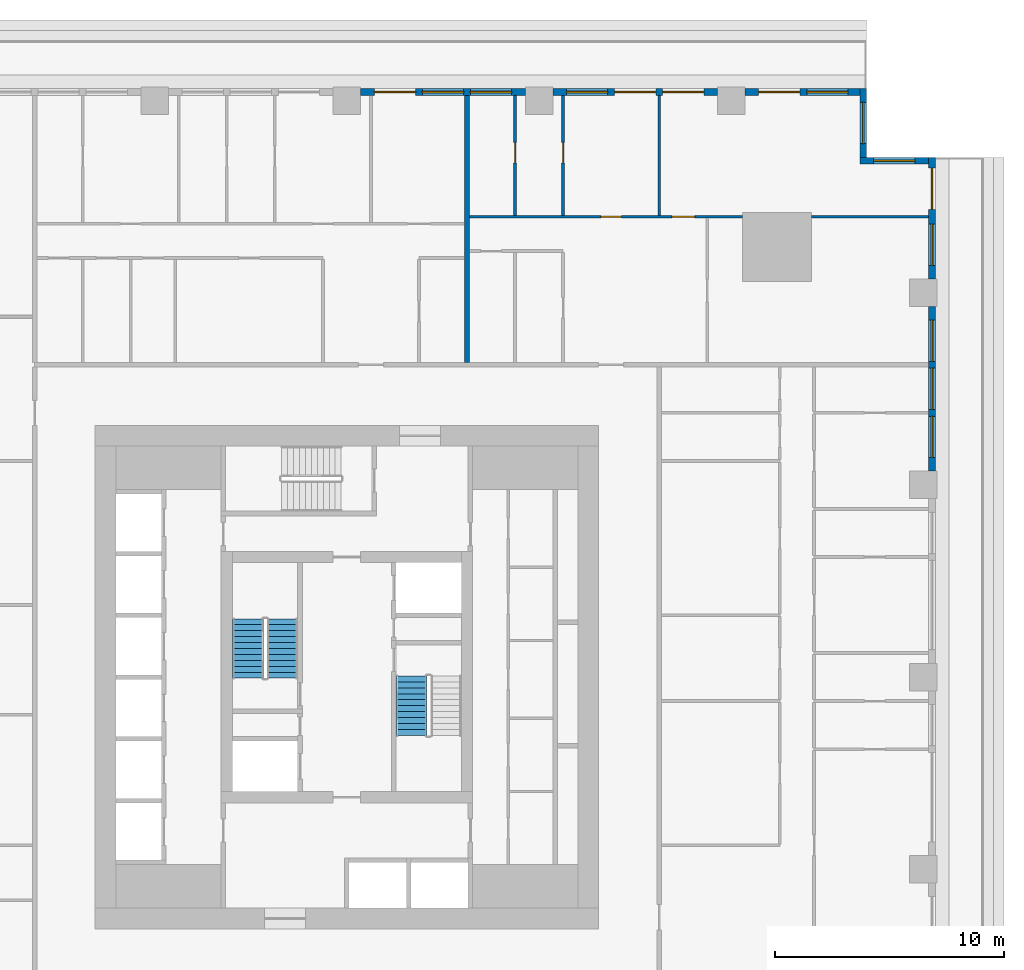
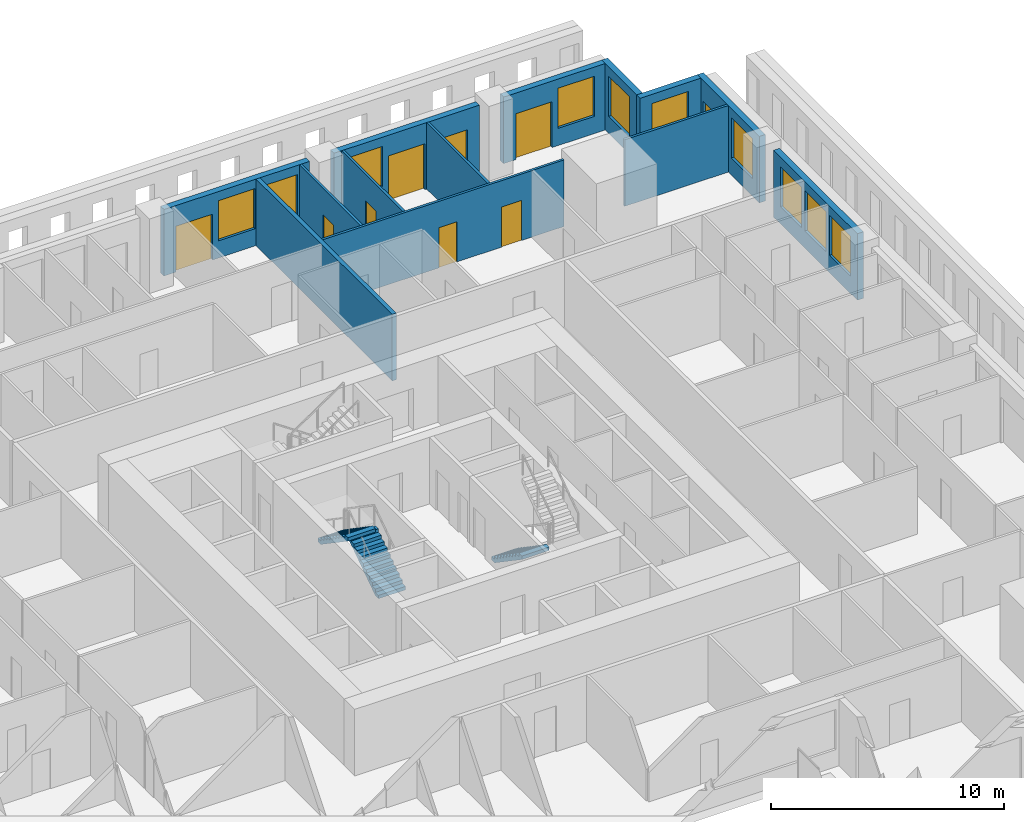
# One storey, part 9 of 15: 13 walls, 10 windows, 9 doors, 3 stair flights, 19 openings, 2 elements without a shape of their own.
"""IFC4 building model written with IfcOpenShell, lengths in metres."""

import ifcopenshell
import ifcopenshell.guid

model = None  # the IFC model being written
_history = None  # IfcOwnerHistory: only IFC2X3 demands one
_inside = {}  # id of a spatial element -> (the spatial element, [elements in it])
_under = {}  # id of a project, library or spatial element -> (it, [spatial elements below it])
_declared = {}  # id of a project -> (the project, [libraries it declares])
_typed = {}  # id of a type object -> (the type object, [elements of that type])
_made_of = {}  # id of a material, layer set ... -> (it, [elements and type objects made of it])


def new_model(schema):
    """Start an empty IFC model of exactly this schema.

    Asked for "IFC4X3", IfcOpenShell would pick the latest addendum, in which some entities
    have other attributes; the version numbers below select the first issue.
    IFC2X3 requires an IfcOwnerHistory on every rooted entity: one is made here for all.
    """
    global model, _history
    if schema == "IFC4X3":
        model = ifcopenshell.file(schema_version=(4, 3, 0, 0))
    else:
        model = ifcopenshell.file(schema=schema)
    _inside.clear()
    _under.clear()
    _declared.clear()
    _typed.clear()
    _made_of.clear()
    _history = None
    if model.schema == "IFC2X3":
        org = make("IfcOrganization", Name="unknown")
        user = make(
            "IfcPersonAndOrganization",
            ThePerson=make("IfcPerson", FamilyName="unknown"),
            TheOrganization=org,
        )
        app = make(
            "IfcApplication",
            ApplicationDeveloper=org,
            Version="unknown",
            ApplicationFullName="unknown",
            ApplicationIdentifier="unknown",
        )
        _history = make(
            "IfcOwnerHistory",
            OwningUser=user,
            OwningApplication=app,
            ChangeAction="ADDED",
            CreationDate=0,
        )
    return model


def make(cls, **values):
    """One entity of the class cls with the attributes given. An attribute that is None is left unset."""
    return model.create_entity(
        cls, **{name: value for name, value in values.items() if value is not None}
    )


def rooted(cls, **values):
    """An entity with a GlobalId (a new one), such as an element, a storey or a relation."""
    return make(cls, GlobalId=ifcopenshell.guid.new(), OwnerHistory=_history, **values)


def si_unit(unit_type, name, prefix=None):
    """IfcSIUnit, for example si_unit("LENGTHUNIT", "METRE", prefix="MILLI")."""
    return make("IfcSIUnit", UnitType=unit_type, Prefix=prefix, Name=name)


def assignment(units):
    """IfcUnitAssignment: the units of a project."""
    return None if units is None else make("IfcUnitAssignment", Units=units)


def point(xyz):
    """IfcCartesianPoint."""
    return None if xyz is None else make("IfcCartesianPoint", Coordinates=xyz)


def direction(xyz):
    """IfcDirection."""
    return None if xyz is None else make("IfcDirection", DirectionRatios=xyz)


def frame(location, z_axis=None, x_axis=None):
    """IfcAxis2Placement3D, a coordinate frame: its origin and axes. An axis left out is left unset."""
    return make(
        "IfcAxis2Placement3D",
        Location=point(location),
        Axis=direction(z_axis),
        RefDirection=direction(x_axis),
    )


def frame_2d(location, x_axis=None):
    """IfcAxis2Placement2D, a coordinate frame in the plane: its origin and x axis."""
    return make(
        "IfcAxis2Placement2D", Location=point(location), RefDirection=direction(x_axis)
    )


def origin():
    """The frame at (0, 0, 0) with its axes left unset."""
    return frame((0.0, 0.0, 0.0))


def place(relative_to, where):
    """IfcLocalPlacement: puts the frame where relative to a parent placement (None: the world)."""
    return make(
        "IfcLocalPlacement", PlacementRelTo=relative_to, RelativePlacement=where
    )


def context(
    kind, dimensions, precision=None, world=None, true_north=None, identifier=None
):
    """IfcGeometricRepresentationContext, for example the 3D "Model" context."""
    return make(
        "IfcGeometricRepresentationContext",
        ContextIdentifier=identifier,
        ContextType=kind,
        CoordinateSpaceDimension=dimensions,
        Precision=precision,
        WorldCoordinateSystem=world,
        TrueNorth=true_north,
    )


def subcontext(parent, identifier, kind, view, scale=None):
    """IfcGeometricRepresentationSubContext, for example "Body" below "Model"."""
    return make(
        "IfcGeometricRepresentationSubContext",
        ContextIdentifier=identifier,
        ContextType=kind,
        ParentContext=parent,
        TargetScale=scale,
        TargetView=view,
    )


def project(units=None, contexts=None):
    """IfcProject with its units and contexts."""
    return rooted(
        "IfcProject",
        Name="project",
        RepresentationContexts=contexts,
        UnitsInContext=assignment(units),
    )


def spatial(cls, under=None, at=None, **own):
    """A site, building, storey or space (cls), placed at a placement, below another one or the project."""
    s = rooted(cls, ObjectPlacement=at, **own)
    if under is not None:
        _under.setdefault(under.id(), (under, []))[1].append(s)
    return s


def polyline(points):
    """IfcPolyline through the points."""
    return make("IfcPolyline", Points=[point(p) for p in points])


def profile(cls, at=None, kind="AREA", **sizes):
    """A parametric profile (cls). Its sizes go by their IFC names, for example OverallWidth=200.0."""
    return make(cls, ProfileType=kind, Position=at, **sizes)


def rectangle(**sizes):
    """IfcRectangleProfileDef."""
    return profile("IfcRectangleProfileDef", **sizes)


def outline(outer, holes=None, kind="AREA"):
    """IfcArbitraryClosedProfileDef: a profile drawn as a closed curve; with holes, ...WithVoids."""
    if holes is None:
        return make("IfcArbitraryClosedProfileDef", ProfileType=kind, OuterCurve=outer)
    return make(
        "IfcArbitraryProfileDefWithVoids",
        ProfileType=kind,
        OuterCurve=outer,
        InnerCurves=holes,
    )


def extrude(swept, where, along, depth):
    """IfcExtrudedAreaSolid: the profile swept, set in the frame where, extruded along a direction by depth."""
    return make(
        "IfcExtrudedAreaSolid",
        SweptArea=swept,
        Position=where,
        ExtrudedDirection=direction(along),
        Depth=depth,
    )


def shape(context_of_items, identifier, shape_type, items):
    """IfcShapeRepresentation: the items that make up one representation, for example the "Body"."""
    return make(
        "IfcShapeRepresentation",
        ContextOfItems=context_of_items,
        RepresentationIdentifier=identifier,
        RepresentationType=shape_type,
        Items=items,
    )


def material(Name=None, Category=None):
    """IfcMaterial."""
    return make("IfcMaterial", Name=Name, Category=Category)


def layer(
    of_material, thickness, ventilated=None, Name=None, Category=None, Priority=None
):
    """IfcMaterialLayer: one layer of a wall or slab, of a material (None: an air gap)."""
    return make(
        "IfcMaterialLayer",
        Material=of_material,
        LayerThickness=thickness,
        IsVentilated=ventilated,
        Name=Name,
        Category=Category,
        Priority=Priority,
    )


def layer_set(layers, Name=None):
    """IfcMaterialLayerSet."""
    return make("IfcMaterialLayerSet", MaterialLayers=layers, LayerSetName=Name)


def made_of(thing, what):
    """Note that an element or type object is made of a material, layer set ...; save() writes the relation."""
    if what is not None:
        _made_of.setdefault(what.id(), (what, []))[1].append(thing)
    return thing


def type_object(cls, material=None, **own):
    """A type object (cls), such as IfcWallType, which elements share."""
    return made_of(rooted(cls, **own), material)


def element(
    cls,
    number,
    at=None,
    inside=None,
    cuts=None,
    type_object=None,
    material=None,
    context=None,
    identifier="Body",
    shape_type=None,
    held_by="IfcProductDefinitionShape",
    body=None,
    shapes=None,
    **own,
):
    """One element of the class cls, such as IfcWall. Its Tag is "e" and its number.

    at: its placement. inside: the storey or other place that contains it. cuts: it is an
    opening in that element (IfcRelVoidsElement). A single representation is given by context,
    identifier, shape_type and body (its items); several are given by shapes. held_by: the class
    of the entity that holds the representations. save() writes the other relations.
    """
    e = rooted(cls, Tag="e%d" % number, ObjectPlacement=at, **own)
    if body is not None:
        shapes = [shape(context, identifier, shape_type, body)]
    if shapes is not None:
        e.Representation = make(held_by, Representations=shapes)
    if inside is not None:
        _inside.setdefault(inside.id(), (inside, []))[1].append(e)
    if cuts is not None:
        rooted(
            "IfcRelVoidsElement", RelatingBuildingElement=cuts, RelatedOpeningElement=e
        )
    if type_object is not None:
        _typed.setdefault(type_object.id(), (type_object, []))[1].append(e)
    return made_of(e, material)


def fill(opening, filler):
    """IfcRelFillsElement: the door or window that sits in an opening."""
    return rooted(
        "IfcRelFillsElement",
        RelatingOpeningElement=opening,
        RelatedBuildingElement=filler,
    )


def aggregate(whole, parts):
    """IfcRelAggregates: a whole, such as a stair, and the parts it consists of."""
    return rooted("IfcRelAggregates", RelatingObject=whole, RelatedObjects=parts)


def save(model, path):
    """Write the relations noted so far, then the file.

    IfcRelAggregates (storeys below a building ...), IfcRelContainedInSpatialStructure (elements
    in a storey), IfcRelDefinesByType, IfcRelAssociatesMaterial and IfcRelDeclares: one each for
    every whole, place, type object, material and project.
    """
    for whole, parts in _under.values():
        aggregate(whole, parts)
    for where, things in _inside.values():
        rooted(
            "IfcRelContainedInSpatialStructure",
            RelatedElements=things,
            RelatingStructure=where,
        )
    for kind, things in _typed.values():
        rooted("IfcRelDefinesByType", RelatedObjects=things, RelatingType=kind)
    for what, things in _made_of.values():
        rooted("IfcRelAssociatesMaterial", RelatedObjects=things, RelatingMaterial=what)
    for by, libraries in _declared.values():
        rooted("IfcRelDeclares", RelatingContext=by, RelatedDefinitions=libraries)
    model.write(path)


model = new_model("IFC4")

# Units and contexts
model_context = context("Model", 3, precision=1e-05, world=origin(), true_north=direction((0.0, 1.0)))
body_context = subcontext(model_context, "Body", "Model", "MODEL_VIEW")
ifc_project = project(units=[si_unit("LENGTHUNIT", "METRE"), si_unit("AREAUNIT", "SQUARE_METRE"), si_unit("VOLUMEUNIT", "CUBIC_METRE"), si_unit("PLANEANGLEUNIT", "RADIAN"), si_unit("MASSUNIT", "GRAM", prefix="KILO")], contexts=[model_context])

# Site, building, storey
site_placement = place(None, origin())
site = spatial("IfcSite", under=ifc_project, at=site_placement, CompositionType="ELEMENT")
building_placement = place(site_placement, origin())
building = spatial("IfcBuilding", under=site, at=building_placement, Name="Khepri Terraces", CompositionType="ELEMENT")
storey_placement = place(building_placement, frame((0.0, 0.0, 42.60009765625)))
storey = spatial("IfcBuildingStorey", under=building, at=storey_placement, Name="L09", CompositionType="ELEMENT", Elevation=42.60009765625)

# Wall
ifc_material_1 = material(Name="Fire-rated gypsum plasterboard partition, mineral wool")
ifc_layer_1 = layer(ifc_material_1, 0.199951171875, Name="Fire-rated gypsum plasterboard partition, mineral wool")
ifc_layer_set_1 = layer_set([ifc_layer_1], Name="Fire-rated gypsum plasterboard partition, mineral wool")
wall_type_1 = type_object("IfcWallType", Name="WL-CORR-200", PredefinedType="PARTITIONING", material=ifc_layer_set_1)
wall_1_placement = place(storey_placement, frame((5.25, 13.75, 0.0), z_axis=(0.0, 0.0, 1.0), x_axis=(0.0, 1.0, 0.0)))
element("IfcWall", 1, at=wall_1_placement, inside=storey, type_object=wall_type_1, Name="Partition P-077 L09", PredefinedType="PARTITIONING", context=body_context, shape_type="SweptSolid", body=[
    extrude(rectangle(XDim=11.669921875, YDim=0.199951171875, at=frame_2d((5.8349609375, 0.0))), origin(), (0.0, 0.0, 1.0), 3.47998046875),
])

# Wall, openings, windows
ifc_material_2 = material(Name="Precast concrete C50/60 warm stone", Category="masonry")
ifc_layer_2 = layer(ifc_material_2, 0.300048828125, Name="Precast concrete C50/60 warm stone", Category="masonry")
ifc_layer_set_2 = layer_set([ifc_layer_2], Name="Precast concrete C50/60 warm stone")
wall_type_2 = type_object("IfcWallType", Name="WL-EXT-PRECAST-300", PredefinedType="STANDARD", material=ifc_layer_set_2)
wall_2_placement = place(storey_placement, frame((25.570068359375, 9.0, 0.0), z_axis=(0.0, 0.0, 1.0), x_axis=(0.0, 1.0, 0.0)))
wall_2 = element("IfcWall", 2, at=wall_2_placement, inside=storey, type_object=wall_type_2, Name="External wall L09 E", PredefinedType="STANDARD", context=body_context, shape_type="SweptSolid", body=[
    extrude(rectangle(XDim=7.199951171875, YDim=0.300048828125, at=frame_2d((3.60009765625, 0.0))), origin(), (0.0, 0.0, 1.0), 3.47998046875),
])
opening_1_placement = place(wall_2_placement, frame((0.60009765625, 0.0, 0.89990234375)))
opening_1 = element("IfcOpeningElement", 3, at=opening_1_placement, cuts=wall_2, Name="Opening W1", PredefinedType="OPENING", context=body_context, shape_type="SweptSolid", body=[
    extrude(rectangle(XDim=1.800048828125, YDim=2.10009765625, at=frame_2d((0.89990234375, 1.050048828125))), frame((0.0, 0.16015625, 0.0), z_axis=(0.0, -1.0, 0.0), x_axis=(1.0, 0.0, 0.0)), (0.0, 0.0, 1.0), 0.320068359375),
])
opening_2_placement = place(wall_2_placement, frame((2.699951171875, 0.0, 0.89990234375)))
opening_2 = element("IfcOpeningElement", 4, at=opening_2_placement, cuts=wall_2, Name="Opening W1", PredefinedType="OPENING", context=body_context, shape_type="SweptSolid", body=[
    extrude(rectangle(XDim=1.800048828125, YDim=2.10009765625, at=frame_2d((0.89990234375, 1.050048828125))), frame((0.0, 0.16015625, 0.0), z_axis=(0.0, -1.0, 0.0), x_axis=(1.0, 0.0, 0.0)), (0.0, 0.0, 1.0), 0.320068359375),
])
opening_3_placement = place(wall_2_placement, frame((4.800048828125, 0.0, 0.89990234375)))
opening_3 = element("IfcOpeningElement", 5, at=opening_3_placement, cuts=wall_2, Name="Opening W1", PredefinedType="OPENING", context=body_context, shape_type="SweptSolid", body=[
    extrude(rectangle(XDim=1.800048828125, YDim=2.10009765625, at=frame_2d((0.89990234375, 1.050048828125))), frame((0.0, 0.16015625, 0.0), z_axis=(0.0, -1.0, 0.0), x_axis=(1.0, 0.0, 0.0)), (0.0, 0.0, 1.0), 0.320068359375),
])
ifc_material_3 = material(Name="Clear glass", Category="glass")
window_type = type_object("IfcWindowType", Name="WIN-RES-1800x2100", PartitioningType="SINGLE_PANEL", PredefinedType="WINDOW", material=ifc_material_3)
window_1_placement = place(opening_1_placement, origin())
window_1 = element("IfcWindow", 6, at=window_1_placement, inside=storey, type_object=window_type, Name="Window L09 E", OverallHeight=2.10009765625, OverallWidth=1.800048828125, PartitioningType="SINGLE_PANEL", PredefinedType="WINDOW", context=body_context, shape_type="SweptSolid", body=[
    extrude(rectangle(XDim=1.800048828125, YDim=2.10009765625, at=frame_2d((0.89990234375, 1.050048828125))), frame((0.0, 0.030029296875, 0.0), z_axis=(0.0, -1.0, 0.0), x_axis=(1.0, 0.0, 0.0)), (0.0, 0.0, 1.0), 0.06005859375),
])
fill(opening_1, window_1)
window_2_placement = place(opening_2_placement, origin())
window_2 = element("IfcWindow", 7, at=window_2_placement, inside=storey, type_object=window_type, Name="Window L09 E", OverallHeight=2.10009765625, OverallWidth=1.800048828125, PartitioningType="SINGLE_PANEL", PredefinedType="WINDOW", context=body_context, shape_type="SweptSolid", body=[
    extrude(rectangle(XDim=1.800048828125, YDim=2.10009765625, at=frame_2d((0.89990234375, 1.050048828125))), frame((0.0, 0.030029296875, 0.0), z_axis=(0.0, -1.0, 0.0), x_axis=(1.0, 0.0, 0.0)), (0.0, 0.0, 1.0), 0.06005859375),
])
fill(opening_2, window_2)
window_3_placement = place(opening_3_placement, origin())
window_3 = element("IfcWindow", 8, at=window_3_placement, inside=storey, type_object=window_type, Name="Window L09 E", OverallHeight=2.10009765625, OverallWidth=1.800048828125, PartitioningType="SINGLE_PANEL", PredefinedType="WINDOW", context=body_context, shape_type="SweptSolid", body=[
    extrude(rectangle(XDim=1.800048828125, YDim=2.10009765625, at=frame_2d((0.89990234375, 1.050048828125))), frame((0.0, 0.030029296875, 0.0), z_axis=(0.0, -1.0, 0.0), x_axis=(1.0, 0.0, 0.0)), (0.0, 0.0, 1.0), 0.06005859375),
])
fill(opening_3, window_3)

# Wall, openings, door, window
wall_3_placement = place(storey_placement, frame((25.570068359375, 17.39990234375, 0.0), z_axis=(0.0, 0.0, 1.0), x_axis=(0.0, 1.0, 0.0)))
wall_3 = element("IfcWall", 9, at=wall_3_placement, inside=storey, type_object=wall_type_2, Name="External wall L09 E", PredefinedType="STANDARD", context=body_context, shape_type="SweptSolid", body=[
    extrude(rectangle(XDim=5.320068359375, YDim=0.300048828125, at=frame_2d((2.66015625, 0.0))), origin(), (0.0, 0.0, 1.0), 3.47998046875),
])
opening_4_placement = place(wall_3_placement, frame((0.60009765625, 0.0, 0.89990234375)))
opening_4 = element("IfcOpeningElement", 10, at=opening_4_placement, cuts=wall_3, Name="Opening W1", PredefinedType="OPENING", context=body_context, shape_type="SweptSolid", body=[
    extrude(rectangle(XDim=1.800048828125, YDim=2.10009765625, at=frame_2d((0.89990234375, 1.050048828125))), frame((0.0, 0.16015625, 0.0), z_axis=(0.0, -1.0, 0.0), x_axis=(1.0, 0.0, 0.0)), (0.0, 0.0, 1.0), 0.320068359375),
])
opening_5_placement = place(wall_3_placement, frame((3.044921875, 0.0, 0.0)))
opening_5 = element("IfcOpeningElement", 11, at=opening_5_placement, cuts=wall_3, Name="Opening ED-L09-05", PredefinedType="OPENING", context=body_context, shape_type="SweptSolid", body=[
    extrude(rectangle(XDim=1.800048828125, YDim=2.39990234375, at=frame_2d((0.89990234375, 1.199951171875))), frame((0.0, 0.16015625, 0.0), z_axis=(0.0, -1.0, 0.0), x_axis=(1.0, 0.0, 0.0)), (0.0, 0.0, 1.0), 0.320068359375),
])
ifc_material_4 = material(Name="Anodised aluminium bronze glazed door", Category="aluminium")
door_type_1 = type_object("IfcDoorType", Name="DR-BAL-SLIDE-1800x2400", OperationType="NOTDEFINED", PredefinedType="DOOR", material=ifc_material_4)
door_1_placement = place(opening_5_placement, origin())
door_1 = element("IfcDoor", 12, at=door_1_placement, inside=storey, type_object=door_type_1, Name="Balcony door L09 E", OperationType="SLIDING_TO_RIGHT", OverallHeight=2.39990234375, OverallWidth=1.800048828125, PredefinedType="DOOR", context=body_context, shape_type="SweptSolid", body=[
    extrude(rectangle(XDim=1.800048828125, YDim=2.39990234375, at=frame_2d((0.89990234375, 1.199951171875))), frame((0.0, 0.02490234375, 0.0), z_axis=(0.0, -1.0, 0.0), x_axis=(1.0, 0.0, 0.0)), (0.0, 0.0, 1.0), 0.050048828125),
])
fill(opening_5, door_1)
window_4_placement = place(opening_4_placement, origin())
window_4 = element("IfcWindow", 13, at=window_4_placement, inside=storey, type_object=window_type, Name="Window L09 E", OverallHeight=2.10009765625, OverallWidth=1.800048828125, PartitioningType="SINGLE_PANEL", PredefinedType="WINDOW", context=body_context, shape_type="SweptSolid", body=[
    extrude(rectangle(XDim=1.800048828125, YDim=2.10009765625, at=frame_2d((0.89990234375, 1.050048828125))), frame((0.0, 0.030029296875, 0.0), z_axis=(0.0, -1.0, 0.0), x_axis=(1.0, 0.0, 0.0)), (0.0, 0.0, 1.0), 0.06005859375),
])
fill(opening_4, window_4)

# Wall, opening, window
wall_4_placement = place(storey_placement, frame((25.419921875, 22.570068359375, 0.0), z_axis=(0.0, 0.0, 1.0), x_axis=(-1.0, 0.0, 0.0)))
wall_4 = element("IfcWall", 14, at=wall_4_placement, inside=storey, type_object=wall_type_2, Name="External wall L09 N", PredefinedType="STANDARD", context=body_context, shape_type="SweptSolid", body=[
    extrude(rectangle(XDim=3.0, YDim=0.300048828125, at=frame_2d((1.5, 0.0))), origin(), (0.0, 0.0, 1.0), 3.47998046875),
])
opening_6_placement = place(wall_4_placement, frame((0.60009765625, 0.0, 0.89990234375)))
opening_6 = element("IfcOpeningElement", 15, at=opening_6_placement, cuts=wall_4, Name="Opening W1", PredefinedType="OPENING", context=body_context, shape_type="SweptSolid", body=[
    extrude(rectangle(XDim=1.800048828125, YDim=2.10009765625, at=frame_2d((0.89990234375, 1.050048828125))), frame((0.0, 0.16015625, 0.0), z_axis=(0.0, -1.0, 0.0), x_axis=(1.0, 0.0, 0.0)), (0.0, 0.0, 1.0), 0.320068359375),
])
window_5_placement = place(opening_6_placement, origin())
window_5 = element("IfcWindow", 16, at=window_5_placement, inside=storey, type_object=window_type, Name="Window L09 N", OverallHeight=2.10009765625, OverallWidth=1.800048828125, PartitioningType="SINGLE_PANEL", PredefinedType="WINDOW", context=body_context, shape_type="SweptSolid", body=[
    extrude(rectangle(XDim=1.800048828125, YDim=2.10009765625, at=frame_2d((0.89990234375, 1.050048828125))), frame((0.0, 0.030029296875, 0.0), z_axis=(0.0, -1.0, 0.0), x_axis=(1.0, 0.0, 0.0)), (0.0, 0.0, 1.0), 0.06005859375),
])
fill(opening_6, window_5)

wall_5_placement = place(storey_placement, frame((22.570068359375, 22.719970703125, 0.0), z_axis=(0.0, 0.0, 1.0), x_axis=(0.0, 1.0, 0.0)))
wall_5 = element("IfcWall", 17, at=wall_5_placement, inside=storey, type_object=wall_type_2, Name="External wall L09 E", PredefinedType="STANDARD", context=body_context, shape_type="SweptSolid", body=[
    extrude(rectangle(XDim=3.0, YDim=0.300048828125, at=frame_2d((1.5, 0.0))), origin(), (0.0, 0.0, 1.0), 3.47998046875),
])
opening_7_placement = place(wall_5_placement, frame((0.60009765625, 0.0, 0.89990234375)))
opening_7 = element("IfcOpeningElement", 18, at=opening_7_placement, cuts=wall_5, Name="Opening W1", PredefinedType="OPENING", context=body_context, shape_type="SweptSolid", body=[
    extrude(rectangle(XDim=1.800048828125, YDim=2.10009765625, at=frame_2d((0.89990234375, 1.050048828125))), frame((0.0, 0.16015625, 0.0), z_axis=(0.0, -1.0, 0.0), x_axis=(1.0, 0.0, 0.0)), (0.0, 0.0, 1.0), 0.320068359375),
])
window_6_placement = place(opening_7_placement, origin())
window_6 = element("IfcWindow", 19, at=window_6_placement, inside=storey, type_object=window_type, Name="Window L09 E", OverallHeight=2.10009765625, OverallWidth=1.800048828125, PartitioningType="SINGLE_PANEL", PredefinedType="WINDOW", context=body_context, shape_type="SweptSolid", body=[
    extrude(rectangle(XDim=1.800048828125, YDim=2.10009765625, at=frame_2d((0.89990234375, 1.050048828125))), frame((0.0, 0.030029296875, 0.0), z_axis=(0.0, -1.0, 0.0), x_axis=(1.0, 0.0, 0.0)), (0.0, 0.0, 1.0), 0.06005859375),
])
fill(opening_7, window_6)

# Wall, openings, door, window
wall_6_placement = place(storey_placement, frame((22.419921875, 25.570068359375, 0.0), z_axis=(0.0, 0.0, 1.0), x_axis=(-1.0, 0.0, 0.0)))
wall_6 = element("IfcWall", 20, at=wall_6_placement, inside=storey, type_object=wall_type_2, Name="External wall L09 N", PredefinedType="STANDARD", context=body_context, shape_type="SweptSolid", body=[
    extrude(rectangle(XDim=5.02001953125, YDim=0.300048828125, at=frame_2d((2.510009765625, 0.0))), origin(), (0.0, 0.0, 1.0), 3.47998046875),
])
opening_8_placement = place(wall_6_placement, frame((0.52001953125, 0.0, 0.89990234375)))
opening_8 = element("IfcOpeningElement", 21, at=opening_8_placement, cuts=wall_6, Name="Opening W1", PredefinedType="OPENING", context=body_context, shape_type="SweptSolid", body=[
    extrude(rectangle(XDim=1.800048828125, YDim=2.10009765625, at=frame_2d((0.89990234375, 1.050048828125))), frame((0.0, 0.16015625, 0.0), z_axis=(0.0, -1.0, 0.0), x_axis=(1.0, 0.0, 0.0)), (0.0, 0.0, 1.0), 0.320068359375),
])
opening_9_placement = place(wall_6_placement, frame((2.6201171875, 0.0, 0.0)))
opening_9 = element("IfcOpeningElement", 22, at=opening_9_placement, cuts=wall_6, Name="Opening ED-L09-06", PredefinedType="OPENING", context=body_context, shape_type="SweptSolid", body=[
    extrude(rectangle(XDim=1.800048828125, YDim=2.39990234375, at=frame_2d((0.89990234375, 1.199951171875))), frame((0.0, 0.16015625, 0.0), z_axis=(0.0, -1.0, 0.0), x_axis=(1.0, 0.0, 0.0)), (0.0, 0.0, 1.0), 0.320068359375),
])
door_2_placement = place(opening_9_placement, origin())
door_2 = element("IfcDoor", 23, at=door_2_placement, inside=storey, type_object=door_type_1, Name="Balcony door L09 N", OperationType="SLIDING_TO_RIGHT", OverallHeight=2.39990234375, OverallWidth=1.800048828125, PredefinedType="DOOR", context=body_context, shape_type="SweptSolid", body=[
    extrude(rectangle(XDim=1.800048828125, YDim=2.39990234375, at=frame_2d((0.89990234375, 1.199951171875))), frame((0.0, 0.02490234375, 0.0), z_axis=(0.0, -1.0, 0.0), x_axis=(1.0, 0.0, 0.0)), (0.0, 0.0, 1.0), 0.050048828125),
])
fill(opening_9, door_2)
window_7_placement = place(opening_8_placement, origin())
window_7 = element("IfcWindow", 24, at=window_7_placement, inside=storey, type_object=window_type, Name="Window L09 N", OverallHeight=2.10009765625, OverallWidth=1.800048828125, PartitioningType="SINGLE_PANEL", PredefinedType="WINDOW", context=body_context, shape_type="SweptSolid", body=[
    extrude(rectangle(XDim=1.800048828125, YDim=2.10009765625, at=frame_2d((0.89990234375, 1.050048828125))), frame((0.0, 0.030029296875, 0.0), z_axis=(0.0, -1.0, 0.0), x_axis=(1.0, 0.0, 0.0)), (0.0, 0.0, 1.0), 0.06005859375),
])
fill(opening_8, window_7)

# Wall, openings, doors, window
wall_7_placement = place(storey_placement, frame((16.199951171875, 25.570068359375, 0.0), z_axis=(0.0, 0.0, 1.0), x_axis=(-1.0, 0.0, 0.0)))
wall_7 = element("IfcWall", 25, at=wall_7_placement, inside=storey, type_object=wall_type_2, Name="External wall L09 N", PredefinedType="STANDARD", context=body_context, shape_type="SweptSolid", body=[
    extrude(rectangle(XDim=7.199951171875, YDim=0.300048828125, at=frame_2d((3.60009765625, 0.0))), origin(), (0.0, 0.0, 1.0), 3.47998046875),
])
opening_10_placement = place(wall_7_placement, frame((0.60009765625, 0.0, 0.0)))
opening_10 = element("IfcOpeningElement", 26, at=opening_10_placement, cuts=wall_7, Name="Opening ED-L09-07", PredefinedType="OPENING", context=body_context, shape_type="SweptSolid", body=[
    extrude(rectangle(XDim=1.800048828125, YDim=2.39990234375, at=frame_2d((0.89990234375, 1.199951171875))), frame((0.0, 0.16015625, 0.0), z_axis=(0.0, -1.0, 0.0), x_axis=(1.0, 0.0, 0.0)), (0.0, 0.0, 1.0), 0.320068359375),
])
opening_11_placement = place(wall_7_placement, frame((2.699951171875, 0.0, 0.0)))
opening_11 = element("IfcOpeningElement", 27, at=opening_11_placement, cuts=wall_7, Name="Opening ED-L09-08", PredefinedType="OPENING", context=body_context, shape_type="SweptSolid", body=[
    extrude(rectangle(XDim=1.800048828125, YDim=2.39990234375, at=frame_2d((0.89990234375, 1.199951171875))), frame((0.0, 0.16015625, 0.0), z_axis=(0.0, -1.0, 0.0), x_axis=(1.0, 0.0, 0.0)), (0.0, 0.0, 1.0), 0.320068359375),
])
opening_12_placement = place(wall_7_placement, frame((4.800048828125, 0.0, 0.89990234375)))
opening_12 = element("IfcOpeningElement", 28, at=opening_12_placement, cuts=wall_7, Name="Opening W1", PredefinedType="OPENING", context=body_context, shape_type="SweptSolid", body=[
    extrude(rectangle(XDim=1.800048828125, YDim=2.10009765625, at=frame_2d((0.89990234375, 1.050048828125))), frame((0.0, 0.16015625, 0.0), z_axis=(0.0, -1.0, 0.0), x_axis=(1.0, 0.0, 0.0)), (0.0, 0.0, 1.0), 0.320068359375),
])
door_3_placement = place(opening_10_placement, origin())
door_3 = element("IfcDoor", 29, at=door_3_placement, inside=storey, type_object=door_type_1, Name="Balcony door L09 N", OperationType="SLIDING_TO_LEFT", OverallHeight=2.39990234375, OverallWidth=1.800048828125, PredefinedType="DOOR", context=body_context, shape_type="SweptSolid", body=[
    extrude(rectangle(XDim=1.800048828125, YDim=2.39990234375, at=frame_2d((0.89990234375, 1.199951171875))), frame((0.0, 0.02490234375, 0.0), z_axis=(0.0, -1.0, 0.0), x_axis=(1.0, 0.0, 0.0)), (0.0, 0.0, 1.0), 0.050048828125),
])
fill(opening_10, door_3)
door_4_placement = place(opening_11_placement, origin())
door_4 = element("IfcDoor", 30, at=door_4_placement, inside=storey, type_object=door_type_1, Name="Balcony door L09 N", OperationType="SLIDING_TO_RIGHT", OverallHeight=2.39990234375, OverallWidth=1.800048828125, PredefinedType="DOOR", context=body_context, shape_type="SweptSolid", body=[
    extrude(rectangle(XDim=1.800048828125, YDim=2.39990234375, at=frame_2d((0.89990234375, 1.199951171875))), frame((0.0, 0.02490234375, 0.0), z_axis=(0.0, -1.0, 0.0), x_axis=(1.0, 0.0, 0.0)), (0.0, 0.0, 1.0), 0.050048828125),
])
fill(opening_11, door_4)
window_8_placement = place(opening_12_placement, origin())
window_8 = element("IfcWindow", 31, at=window_8_placement, inside=storey, type_object=window_type, Name="Window L09 N", OverallHeight=2.10009765625, OverallWidth=1.800048828125, PartitioningType="SINGLE_PANEL", PredefinedType="WINDOW", context=body_context, shape_type="SweptSolid", body=[
    extrude(rectangle(XDim=1.800048828125, YDim=2.10009765625, at=frame_2d((0.89990234375, 1.050048828125))), frame((0.0, 0.030029296875, 0.0), z_axis=(0.0, -1.0, 0.0), x_axis=(1.0, 0.0, 0.0)), (0.0, 0.0, 1.0), 0.06005859375),
])
fill(opening_12, window_8)

# Wall, openings, door, windows
wall_8_placement = place(storey_placement, frame((7.800048828125, 25.570068359375, 0.0), z_axis=(0.0, 0.0, 1.0), x_axis=(-1.0, 0.0, 0.0)))
wall_8 = element("IfcWall", 32, at=wall_8_placement, inside=storey, type_object=wall_type_2, Name="External wall L09 N", PredefinedType="STANDARD", context=body_context, shape_type="SweptSolid", body=[
    extrude(rectangle(XDim=7.199951171875, YDim=0.300048828125, at=frame_2d((3.60009765625, 0.0))), origin(), (0.0, 0.0, 1.0), 3.47998046875),
])
opening_13_placement = place(wall_8_placement, frame((0.60009765625, 0.0, 0.89990234375)))
opening_13 = element("IfcOpeningElement", 33, at=opening_13_placement, cuts=wall_8, Name="Opening W1", PredefinedType="OPENING", context=body_context, shape_type="SweptSolid", body=[
    extrude(rectangle(XDim=1.800048828125, YDim=2.10009765625, at=frame_2d((0.89990234375, 1.050048828125))), frame((0.0, 0.16015625, 0.0), z_axis=(0.0, -1.0, 0.0), x_axis=(1.0, 0.0, 0.0)), (0.0, 0.0, 1.0), 0.320068359375),
])
opening_14_placement = place(wall_8_placement, frame((2.699951171875, 0.0, 0.89990234375)))
opening_14 = element("IfcOpeningElement", 34, at=opening_14_placement, cuts=wall_8, Name="Opening W1", PredefinedType="OPENING", context=body_context, shape_type="SweptSolid", body=[
    extrude(rectangle(XDim=1.800048828125, YDim=2.10009765625, at=frame_2d((0.89990234375, 1.050048828125))), frame((0.0, 0.16015625, 0.0), z_axis=(0.0, -1.0, 0.0), x_axis=(1.0, 0.0, 0.0)), (0.0, 0.0, 1.0), 0.320068359375),
])
opening_15_placement = place(wall_8_placement, frame((4.800048828125, 0.0, 0.0)))
opening_15 = element("IfcOpeningElement", 35, at=opening_15_placement, cuts=wall_8, Name="Opening ED-L09-09", PredefinedType="OPENING", context=body_context, shape_type="SweptSolid", body=[
    extrude(rectangle(XDim=1.800048828125, YDim=2.39990234375, at=frame_2d((0.89990234375, 1.199951171875))), frame((0.0, 0.16015625, 0.0), z_axis=(0.0, -1.0, 0.0), x_axis=(1.0, 0.0, 0.0)), (0.0, 0.0, 1.0), 0.320068359375),
])
door_5_placement = place(opening_15_placement, origin())
door_5 = element("IfcDoor", 36, at=door_5_placement, inside=storey, type_object=door_type_1, Name="Balcony door L09 N", OperationType="SLIDING_TO_RIGHT", OverallHeight=2.39990234375, OverallWidth=1.800048828125, PredefinedType="DOOR", context=body_context, shape_type="SweptSolid", body=[
    extrude(rectangle(XDim=1.800048828125, YDim=2.39990234375, at=frame_2d((0.89990234375, 1.199951171875))), frame((0.0, 0.02490234375, 0.0), z_axis=(0.0, -1.0, 0.0), x_axis=(1.0, 0.0, 0.0)), (0.0, 0.0, 1.0), 0.050048828125),
])
fill(opening_15, door_5)
window_9_placement = place(opening_13_placement, origin())
window_9 = element("IfcWindow", 37, at=window_9_placement, inside=storey, type_object=window_type, Name="Window L09 N", OverallHeight=2.10009765625, OverallWidth=1.800048828125, PartitioningType="SINGLE_PANEL", PredefinedType="WINDOW", context=body_context, shape_type="SweptSolid", body=[
    extrude(rectangle(XDim=1.800048828125, YDim=2.10009765625, at=frame_2d((0.89990234375, 1.050048828125))), frame((0.0, 0.030029296875, 0.0), z_axis=(0.0, -1.0, 0.0), x_axis=(1.0, 0.0, 0.0)), (0.0, 0.0, 1.0), 0.06005859375),
])
fill(opening_13, window_9)
window_10_placement = place(opening_14_placement, origin())
window_10 = element("IfcWindow", 38, at=window_10_placement, inside=storey, type_object=window_type, Name="Window L09 N", OverallHeight=2.10009765625, OverallWidth=1.800048828125, PartitioningType="SINGLE_PANEL", PredefinedType="WINDOW", context=body_context, shape_type="SweptSolid", body=[
    extrude(rectangle(XDim=1.800048828125, YDim=2.10009765625, at=frame_2d((0.89990234375, 1.050048828125))), frame((0.0, 0.030029296875, 0.0), z_axis=(0.0, -1.0, 0.0), x_axis=(1.0, 0.0, 0.0)), (0.0, 0.0, 1.0), 0.06005859375),
])
fill(opening_14, window_10)

# Wall, openings, doors
ifc_material_5 = material(Name="Gypsum plasterboard partition")
ifc_layer_3 = layer(ifc_material_5, 0.1201171875, Name="Gypsum plasterboard partition")
ifc_layer_set_3 = layer_set([ifc_layer_3], Name="Gypsum plasterboard partition")
wall_type_3 = type_object("IfcWallType", Name="WL-PART-120", PredefinedType="PARTITIONING", material=ifc_layer_set_3)
wall_9_placement = place(storey_placement, frame((5.35009765625, 20.1201171875, 0.0), z_axis=(0.0, 0.0, 1.0), x_axis=(1.0, 0.0, 0.0)))
wall_9 = element("IfcWall", 39, at=wall_9_placement, inside=storey, type_object=wall_type_3, Name="Partition P-092 L09", PredefinedType="PARTITIONING", context=body_context, shape_type="SweptSolid", body=[
    extrude(rectangle(XDim=11.949951171875, YDim=0.1201171875, at=frame_2d((5.97509765625, 0.0))), origin(), (0.0, 0.0, 1.0), 3.47998046875),
])
opening_16_placement = place(wall_9_placement, frame((8.85009765625, 0.0, 0.0)))
opening_16 = element("IfcOpeningElement", 40, at=opening_16_placement, cuts=wall_9, Name="Opening D2", PredefinedType="OPENING", context=body_context, shape_type="SweptSolid", body=[
    extrude(rectangle(XDim=1.0, YDim=2.10009765625, at=frame_2d((0.5, 1.050048828125))), frame((0.0, 0.070068359375, 0.0), z_axis=(0.0, -1.0, 0.0), x_axis=(1.0, 0.0, 0.0)), (0.0, 0.0, 1.0), 0.14013671875),
])
opening_17_placement = place(wall_9_placement, frame((5.75, 0.0, 0.0)))
opening_17 = element("IfcOpeningElement", 41, at=opening_17_placement, cuts=wall_9, Name="Opening D3", PredefinedType="OPENING", context=body_context, shape_type="SweptSolid", body=[
    extrude(rectangle(XDim=0.89990234375, YDim=2.10009765625, at=frame_2d((0.449951171875, 1.050048828125))), frame((0.0, 0.070068359375, 0.0), z_axis=(0.0, -1.0, 0.0), x_axis=(1.0, 0.0, 0.0)), (0.0, 0.0, 1.0), 0.14013671875),
])
ifc_material_6 = material(Name="Timber door leaf, living room door", Category="wood")
door_type_2 = type_object("IfcDoorType", Name="DR-INT-1000", OperationType="NOTDEFINED", PredefinedType="DOOR", material=ifc_material_6)
door_6_placement = place(opening_16_placement, origin())
door_6 = element("IfcDoor", 42, at=door_6_placement, inside=storey, type_object=door_type_2, Name="Door Living Room", OperationType="SINGLE_SWING_RIGHT", OverallHeight=2.10009765625, OverallWidth=1.0, PredefinedType="DOOR", context=body_context, shape_type="SweptSolid", body=[
    extrude(rectangle(XDim=1.0, YDim=2.10009765625, at=frame_2d((0.5, 1.050048828125))), frame((0.0, 0.02490234375, 0.0), z_axis=(0.0, -1.0, 0.0), x_axis=(1.0, 0.0, 0.0)), (0.0, 0.0, 1.0), 0.050048828125),
])
fill(opening_16, door_6)
ifc_material_7 = material(Name="Timber door leaf", Category="wood")
door_type_3 = type_object("IfcDoorType", Name="DR-INT-900", OperationType="NOTDEFINED", PredefinedType="DOOR", material=ifc_material_7)
door_7_placement = place(opening_17_placement, origin())
door_7 = element("IfcDoor", 43, at=door_7_placement, inside=storey, type_object=door_type_3, Name="Door Master Bedroom", OperationType="SINGLE_SWING_RIGHT", OverallHeight=2.10009765625, OverallWidth=0.89990234375, PredefinedType="DOOR", context=body_context, shape_type="SweptSolid", body=[
    extrude(rectangle(XDim=0.89990234375, YDim=2.10009765625, at=frame_2d((0.449951171875, 1.050048828125))), frame((0.0, 0.02490234375, 0.0), z_axis=(0.0, -1.0, 0.0), x_axis=(1.0, 0.0, 0.0)), (0.0, 0.0, 1.0), 0.050048828125),
])
fill(opening_17, door_7)

# Wall
wall_10_placement = place(storey_placement, frame((20.300048828125, 20.1201171875, 0.0), z_axis=(0.0, 0.0, 1.0), x_axis=(1.0, 0.0, 0.0)))
element("IfcWall", 44, at=wall_10_placement, inside=storey, type_object=wall_type_3, Name="Partition P-093 L09", PredefinedType="PARTITIONING", context=body_context, shape_type="SweptSolid", body=[
    extrude(rectangle(XDim=5.119873046875, YDim=0.1201171875, at=frame_2d((2.56005859375, 0.0))), origin(), (0.0, 0.0, 1.0), 3.47998046875),
])

# Wall, opening, door
wall_11_placement = place(storey_placement, frame((7.35009765625, 20.179931640625, 0.0), z_axis=(0.0, 0.0, 1.0), x_axis=(0.0, 1.0, 0.0)))
wall_11 = element("IfcWall", 45, at=wall_11_placement, inside=storey, type_object=wall_type_3, Name="Partition P-094 L09", PredefinedType="PARTITIONING", context=body_context, shape_type="SweptSolid", body=[
    extrude(rectangle(XDim=5.239990234375, YDim=0.1201171875, at=frame_2d((2.6201171875, 0.0))), origin(), (0.0, 0.0, 1.0), 3.47998046875),
])
opening_18_placement = place(wall_11_placement, frame((2.2900390625, 0.0, 0.0)))
opening_18 = element("IfcOpeningElement", 46, at=opening_18_placement, cuts=wall_11, Name="Opening D4", PredefinedType="OPENING", context=body_context, shape_type="SweptSolid", body=[
    extrude(rectangle(XDim=0.89990234375, YDim=2.10009765625, at=frame_2d((0.449951171875, 1.050048828125))), frame((0.0, 0.070068359375, 0.0), z_axis=(0.0, -1.0, 0.0), x_axis=(1.0, 0.0, 0.0)), (0.0, 0.0, 1.0), 0.14013671875),
])
ifc_material_8 = material(Name="Timber door leaf, moisture resistant", Category="wood")
door_type_4 = type_object("IfcDoorType", Name="DR-WET-900", OperationType="NOTDEFINED", PredefinedType="DOOR", material=ifc_material_8)
door_8_placement = place(opening_18_placement, origin())
door_8 = element("IfcDoor", 47, at=door_8_placement, inside=storey, type_object=door_type_4, Name="Door Bathroom", OperationType="SINGLE_SWING_RIGHT", OverallHeight=2.10009765625, OverallWidth=0.89990234375, PredefinedType="DOOR", context=body_context, shape_type="SweptSolid", body=[
    extrude(rectangle(XDim=0.89990234375, YDim=2.10009765625, at=frame_2d((0.449951171875, 1.050048828125))), frame((0.0, 0.02490234375, 0.0), z_axis=(0.0, -1.0, 0.0), x_axis=(1.0, 0.0, 0.0)), (0.0, 0.0, 1.0), 0.050048828125),
])
fill(opening_18, door_8)

wall_12_placement = place(storey_placement, frame((9.449951171875, 20.179931640625, 0.0), z_axis=(0.0, 0.0, 1.0), x_axis=(0.0, 1.0, 0.0)))
wall_12 = element("IfcWall", 48, at=wall_12_placement, inside=storey, type_object=wall_type_3, Name="Partition P-095 L09", PredefinedType="PARTITIONING", context=body_context, shape_type="SweptSolid", body=[
    extrude(rectangle(XDim=5.239990234375, YDim=0.1201171875, at=frame_2d((2.6201171875, 0.0))), origin(), (0.0, 0.0, 1.0), 3.47998046875),
])
opening_19_placement = place(wall_12_placement, frame((2.2900390625, 0.0, 0.0)))
opening_19 = element("IfcOpeningElement", 49, at=opening_19_placement, cuts=wall_12, Name="Opening D3", PredefinedType="OPENING", context=body_context, shape_type="SweptSolid", body=[
    extrude(rectangle(XDim=0.89990234375, YDim=2.10009765625, at=frame_2d((0.449951171875, 1.050048828125))), frame((0.0, 0.070068359375, 0.0), z_axis=(0.0, -1.0, 0.0), x_axis=(1.0, 0.0, 0.0)), (0.0, 0.0, 1.0), 0.14013671875),
])
door_9_placement = place(opening_19_placement, origin())
door_9 = element("IfcDoor", 50, at=door_9_placement, inside=storey, type_object=door_type_3, Name="Door Dressing Room", OperationType="SINGLE_SWING_RIGHT", OverallHeight=2.10009765625, OverallWidth=0.89990234375, PredefinedType="DOOR", context=body_context, shape_type="SweptSolid", body=[
    extrude(rectangle(XDim=0.89990234375, YDim=2.10009765625, at=frame_2d((0.449951171875, 1.050048828125))), frame((0.0, 0.02490234375, 0.0), z_axis=(0.0, -1.0, 0.0), x_axis=(1.0, 0.0, 0.0)), (0.0, 0.0, 1.0), 0.050048828125),
])
fill(opening_19, door_9)

# Wall
wall_13_placement = place(storey_placement, frame((13.64990234375, 20.179931640625, 0.0), z_axis=(0.0, 0.0, 1.0), x_axis=(0.0, 1.0, 0.0)))
element("IfcWall", 51, at=wall_13_placement, inside=storey, type_object=wall_type_3, Name="Partition P-096 L09", PredefinedType="PARTITIONING", context=body_context, shape_type="SweptSolid", body=[
    extrude(rectangle(XDim=5.239990234375, YDim=0.1201171875, at=frame_2d((2.6201171875, 0.0))), origin(), (0.0, 0.0, 1.0), 3.47998046875),
])

# Stair, stair flights
ifc_material_9 = material(Name="Concrete C40/50", Category="concrete")
stair_type = type_object("IfcStairType", Name="STAIR-RC-22R", PredefinedType="HALF_TURN_STAIR", material=ifc_material_9)
stair_1_placement = place(storey_placement, origin())
stair_1 = element("IfcStair", 52, at=stair_1_placement, inside=storey, type_object=stair_type, Name="L09 Exit Stair ST-1", PredefinedType="HALF_TURN_STAIR")
stair_flight_type = type_object("IfcStairFlightType", Name="SFL-RC-177.3", PredefinedType="STRAIGHT", material=ifc_material_9)
stair_flight_1_placement = place(storey_placement, frame((-2.824951171875, -0.050048828125, 0.0), z_axis=(0.0, 0.0, 1.0), x_axis=(0.0, 1.0, 0.0)))
stair_flight_1 = element("IfcStairFlight", 53, at=stair_flight_1_placement, type_object=stair_flight_type, Name="ST-1 flight 1", NumberOfRisers=11, NumberOfTreads=10, PredefinedType="STRAIGHT", RiserHeight=0.177272727, TreadLength=0.26, context=body_context, shape_type="SweptSolid", body=[
    extrude(outline(polyline([(0.0, 0.0), (0.0, 0.17724609375), (0.260009765625, 0.17724609375), (0.260009765625, 0.3544921875), (0.52001953125, 0.3544921875), (0.52001953125, 0.53173828125), (0.780029296875, 0.53173828125), (0.780029296875, 0.708984375), (1.0400390625, 0.708984375), (1.0400390625, 0.886474609375), (1.300048828125, 0.886474609375), (1.300048828125, 1.063720703125), (1.56005859375, 1.063720703125), (1.56005859375, 1.240966796875), (1.820068359375, 1.240966796875), (1.820068359375, 1.418212890625), (2.080078125, 1.418212890625), (2.080078125, 1.595458984375), (2.340087890625, 1.595458984375), (2.340087890625, 1.772705078125), (2.60009765625, 1.772705078125), (2.60009765625, 1.949951171875), (2.60009765625, 1.59130859375), (0.26611328125, 0.0), (0.0, 0.0)])), frame((0.0, 0.675048828125, 0.0), z_axis=(0.0, -1.0, 0.0), x_axis=(1.0, 0.0, 0.0)), (0.0, 0.0, 1.0), 1.35009765625),
])
stair_flight_2_placement = place(storey_placement, frame((-4.324951171875, 2.550048828125, 1.949951171875), z_axis=(0.0, 0.0, 1.0), x_axis=(0.0, -1.0, 0.0)))
stair_flight_2 = element("IfcStairFlight", 54, at=stair_flight_2_placement, type_object=stair_flight_type, Name="ST-1 flight 2", NumberOfRisers=11, NumberOfTreads=10, PredefinedType="STRAIGHT", RiserHeight=0.177272727, TreadLength=0.26, context=body_context, shape_type="SweptSolid", body=[
    extrude(outline(polyline([(0.0, 0.0), (0.0, 0.17724609375), (0.260009765625, 0.17724609375), (0.260009765625, 0.3544921875), (0.52001953125, 0.3544921875), (0.52001953125, 0.53173828125), (0.780029296875, 0.53173828125), (0.780029296875, 0.708984375), (1.0400390625, 0.708984375), (1.0400390625, 0.886474609375), (1.300048828125, 0.886474609375), (1.300048828125, 1.063720703125), (1.56005859375, 1.063720703125), (1.56005859375, 1.240966796875), (1.820068359375, 1.240966796875), (1.820068359375, 1.418212890625), (2.080078125, 1.418212890625), (2.080078125, 1.595458984375), (2.340087890625, 1.595458984375), (2.340087890625, 1.772705078125), (2.60009765625, 1.772705078125), (2.60009765625, 1.949951171875), (2.60009765625, 1.59130859375), (0.26611328125, 0.0), (0.0, 0.0)])), frame((0.0, 0.675048828125, 0.0), z_axis=(0.0, -1.0, 0.0), x_axis=(1.0, 0.0, 0.0)), (0.0, 0.0, 1.0), 1.35009765625),
])
aggregate(stair_1, [stair_flight_1, stair_flight_2])

# Stair, stair flight
stair_2_placement = place(storey_placement, origin())
stair_2 = element("IfcStair", 55, at=stair_2_placement, inside=storey, type_object=stair_type, Name="L09 Exit Stair ST-2", PredefinedType="HALF_TURN_STAIR")
stair_flight_3_placement = place(storey_placement, frame((2.824951171875, 0.050048828125, 0.0), z_axis=(0.0, 0.0, 1.0), x_axis=(0.0, -1.0, 0.0)))
stair_flight_3 = element("IfcStairFlight", 56, at=stair_flight_3_placement, type_object=stair_flight_type, Name="ST-2 flight 1", NumberOfRisers=11, NumberOfTreads=10, PredefinedType="STRAIGHT", RiserHeight=0.177272727, TreadLength=0.26, context=body_context, shape_type="SweptSolid", body=[
    extrude(outline(polyline([(0.0, 0.0), (0.0, 0.17724609375), (0.260009765625, 0.17724609375), (0.260009765625, 0.3544921875), (0.52001953125, 0.3544921875), (0.52001953125, 0.53173828125), (0.780029296875, 0.53173828125), (0.780029296875, 0.708984375), (1.0400390625, 0.708984375), (1.0400390625, 0.886474609375), (1.300048828125, 0.886474609375), (1.300048828125, 1.063720703125), (1.56005859375, 1.063720703125), (1.56005859375, 1.240966796875), (1.820068359375, 1.240966796875), (1.820068359375, 1.418212890625), (2.080078125, 1.418212890625), (2.080078125, 1.595458984375), (2.340087890625, 1.595458984375), (2.340087890625, 1.772705078125), (2.60009765625, 1.772705078125), (2.60009765625, 1.949951171875), (2.60009765625, 1.59130859375), (0.26611328125, 0.0), (0.0, 0.0)])), frame((0.0, 0.675048828125, 0.0), z_axis=(0.0, -1.0, 0.0), x_axis=(1.0, 0.0, 0.0)), (0.0, 0.0, 1.0), 1.35009765625),
])
aggregate(stair_2, [stair_flight_3])

save(model, "model.ifc")
